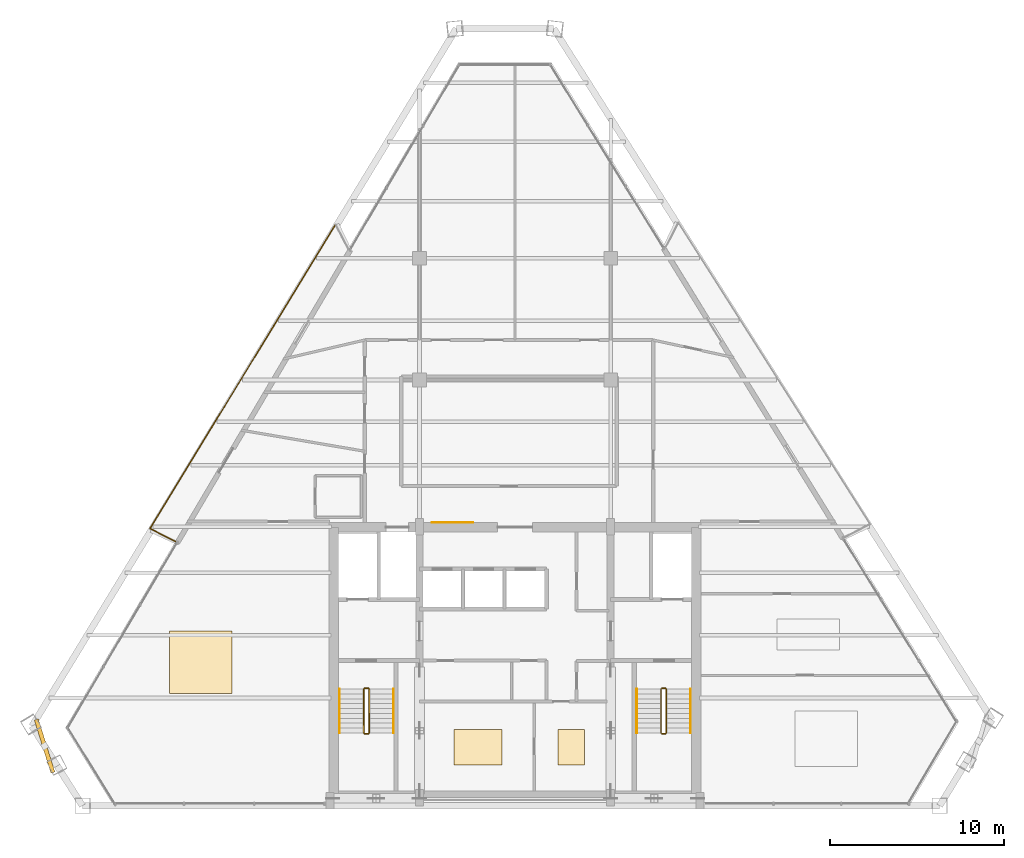
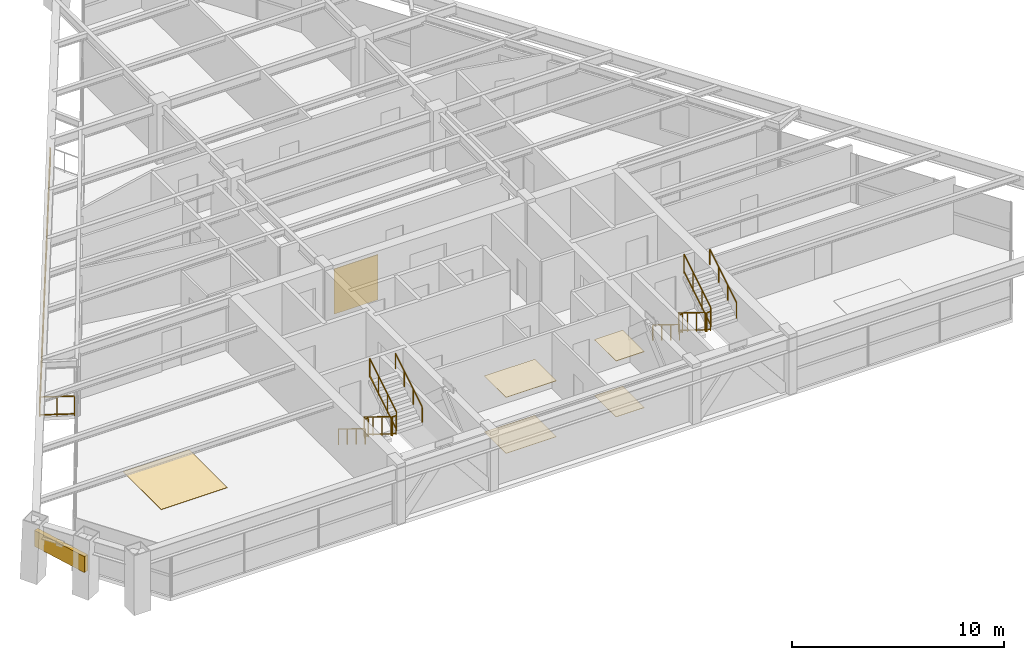
# One storey, part 12 of 13: 14 railings, 6 coverings, 1 shading device.
"""IFC4 building model written with IfcOpenShell, lengths in metres."""

from ifc_helpers import new_model, si_unit, direction, frame, origin, origin_2d, place, context, subcontext, project, spatial, rectangle, extrude, source, transform, mapped, material, layer, layer_set, type_object, type_shapes, element, save


model = new_model("IFC4")

# Units and contexts
model_context = context("Model", 3, precision=1e-05, world=origin(), true_north=direction((0.0, 1.0)))
body_context = subcontext(model_context, "Body", "Model", "MODEL_VIEW")
ifc_project = project(units=[si_unit("LENGTHUNIT", "METRE"), si_unit("AREAUNIT", "SQUARE_METRE"), si_unit("VOLUMEUNIT", "CUBIC_METRE"), si_unit("PLANEANGLEUNIT", "RADIAN"), si_unit("MASSUNIT", "GRAM", prefix="KILO")], contexts=[model_context])

# Site, building, storey
site_placement = place(None, origin())
site = spatial("IfcSite", under=ifc_project, at=site_placement, CompositionType="ELEMENT")
building_placement = place(site_placement, origin())
building = spatial("IfcBuilding", under=site, at=building_placement, Name="Varnakhor Terracotta Tower", CompositionType="ELEMENT")
storey_placement = place(building_placement, frame((0.0, 0.0, 237.25)))
storey = spatial("IfcBuildingStorey", under=building, at=storey_placement, Name="L61", CompositionType="ELEMENT", Elevation=237.25)

# Railings
ifc_material_1 = material(Name="Stainless Steel & Laminated Glass Guardrail", Category="steel")
railing_type_1 = type_object("IfcRailingType", Name="RLG-LOGGIA-GUARD-1150", PredefinedType="GUARDRAIL", material=ifc_material_1)
railing_1_placement = place(storey_placement, frame((-19.55078125, 15.208740234375, 0.0)))
element("IfcRailing", 1, at=railing_1_placement, inside=storey, type_object=railing_type_1, Name="L61 W Loggia Glass Guard 1", PredefinedType="GUARDRAIL", context=body_context, shape_type="SweptSolid", body=[
    extrude(rectangle(XDim=0.048095703125, YDim=0.048095703125, at=origin_2d()), frame((0.0, 0.0, 1.1259765625), z_axis=(-0.891115881412, 0.453775810169, 0.0), x_axis=(-0.453775810169, -0.891115881412, 0.0)), (0.0, 0.0, 1.0), 1.634033203125),
    extrude(rectangle(XDim=0.048095703125, YDim=0.048095703125, at=origin_2d()), frame((0.0, 0.0, 0.10009765625), z_axis=(-0.891115881412, 0.453775810169, 0.0), x_axis=(-0.453775810169, -0.891115881412, 0.0)), (0.0, 0.0, 1.0), 1.634033203125),
    extrude(rectangle(XDim=0.0419921875, YDim=0.0419921875, at=origin_2d()), origin(), (0.0, 0.0, 1.0), 1.101806640625),
    extrude(rectangle(XDim=0.0419921875, YDim=0.0419921875, at=origin_2d()), frame((-0.72802734375, 0.37060546875, 0.0)), (0.0, 0.0, 1.0), 1.101806640625),
    extrude(rectangle(XDim=0.0419921875, YDim=0.0419921875, at=origin_2d()), frame((-1.4560546875, 0.741455078125, 0.0)), (0.0, 0.0, 1.0), 1.101806640625),
])
railing_2_placement = place(storey_placement, frame((-21.0068359375, 15.9501953125, 0.0)))
element("IfcRailing", 2, at=railing_2_placement, inside=storey, type_object=railing_type_1, Name="L61 W Loggia Glass Guard 2", PredefinedType="GUARDRAIL", context=body_context, shape_type="SweptSolid", body=[
    extrude(rectangle(XDim=0.048095703125, YDim=0.048095703125, at=origin_2d()), frame((0.0, 0.0, 1.1259765625), z_axis=(0.520559993517, 0.853825095175, 0.0), x_axis=(-0.853825095175, 0.520559993517, 0.0)), (0.0, 0.0, 1.0), 20.500244140625),
    extrude(rectangle(XDim=0.048095703125, YDim=0.048095703125, at=origin_2d()), frame((0.0, 0.0, 0.10009765625), z_axis=(0.520559993517, 0.853825095175, 0.0), x_axis=(-0.853825095175, 0.520559993517, 0.0)), (0.0, 0.0, 1.0), 20.500244140625),
    extrude(rectangle(XDim=0.0419921875, YDim=0.0419921875, at=origin_2d()), origin(), (0.0, 0.0, 1.0), 1.101806640625),
    extrude(rectangle(XDim=0.0419921875, YDim=0.0419921875, at=origin_2d()), frame((0.71142578125, 1.1669921875, 0.0)), (0.0, 0.0, 1.0), 1.101806640625),
    extrude(rectangle(XDim=0.0419921875, YDim=0.0419921875, at=origin_2d()), frame((1.4228515625, 2.333740234375, 0.0)), (0.0, 0.0, 1.0), 1.101806640625),
    extrude(rectangle(XDim=0.0419921875, YDim=0.0419921875, at=origin_2d()), frame((2.13427734375, 3.500732421875, 0.0)), (0.0, 0.0, 1.0), 1.101806640625),
    extrude(rectangle(XDim=0.0419921875, YDim=0.0419921875, at=origin_2d()), frame((2.845703125, 4.667724609375, 0.0)), (0.0, 0.0, 1.0), 1.101806640625),
    extrude(rectangle(XDim=0.0419921875, YDim=0.0419921875, at=origin_2d()), frame((3.55712890625, 5.83447265625, 0.0)), (0.0, 0.0, 1.0), 1.101806640625),
    extrude(rectangle(XDim=0.0419921875, YDim=0.0419921875, at=origin_2d()), frame((4.2685546875, 7.00146484375, 0.0)), (0.0, 0.0, 1.0), 1.101806640625),
    extrude(rectangle(XDim=0.0419921875, YDim=0.0419921875, at=origin_2d()), frame((4.97998046875, 8.16845703125, 0.0)), (0.0, 0.0, 1.0), 1.101806640625),
    extrude(rectangle(XDim=0.0419921875, YDim=0.0419921875, at=origin_2d()), frame((5.691650390625, 9.335205078125, 0.0)), (0.0, 0.0, 1.0), 1.101806640625),
    extrude(rectangle(XDim=0.0419921875, YDim=0.0419921875, at=origin_2d()), frame((6.403076171875, 10.502197265625, 0.0)), (0.0, 0.0, 1.0), 1.101806640625),
    extrude(rectangle(XDim=0.0419921875, YDim=0.0419921875, at=origin_2d()), frame((7.114501953125, 11.669189453125, 0.0)), (0.0, 0.0, 1.0), 1.101806640625),
    extrude(rectangle(XDim=0.0419921875, YDim=0.0419921875, at=origin_2d()), frame((7.825927734375, 12.8359375, 0.0)), (0.0, 0.0, 1.0), 1.101806640625),
    extrude(rectangle(XDim=0.0419921875, YDim=0.0419921875, at=origin_2d()), frame((8.537353515625, 14.0029296875, 0.0)), (0.0, 0.0, 1.0), 1.101806640625),
    extrude(rectangle(XDim=0.0419921875, YDim=0.0419921875, at=origin_2d()), frame((9.248779296875, 15.169921875, 0.0)), (0.0, 0.0, 1.0), 1.101806640625),
    extrude(rectangle(XDim=0.0419921875, YDim=0.0419921875, at=origin_2d()), frame((9.960205078125, 16.336669921875, 0.0)), (0.0, 0.0, 1.0), 1.101806640625),
    extrude(rectangle(XDim=0.0419921875, YDim=0.0419921875, at=origin_2d()), frame((10.671630859375, 17.503662109375, 0.0)), (0.0, 0.0, 1.0), 1.101806640625),
])
ifc_material_2 = material(Name="Painted Steel Stairwell Guardrail", Category="steel")
railing_type_2 = type_object("IfcRailingType", Name="RLG-STAIR-GUARD-1120", PredefinedType="GUARDRAIL", material=ifc_material_2)
railing_3_placement = place(storey_placement, frame((-8.699951171875, 6.7099609375, 0.172607421875)))
element("IfcRailing", 3, at=railing_3_placement, inside=storey, type_object=railing_type_2, Name="L61 ST-1 stair guard 1", PredefinedType="GUARDRAIL", context=body_context, shape_type="SweptSolid", body=[
    extrude(rectangle(XDim=0.048095703125, YDim=0.048095703125, at=origin_2d()), frame((0.0, 0.0, 1.09619140625), z_axis=(0.0, -0.851400495292, 0.524516154772), x_axis=(1.0, 0.0, 0.0)), (0.0, 0.0, 1.0), 2.9599609375),
    extrude(rectangle(XDim=0.048095703125, YDim=0.048095703125, at=origin_2d()), frame((0.0, 0.0, 0.10009765625), z_axis=(0.0, -0.851400495292, 0.524516154772), x_axis=(1.0, 0.0, 0.0)), (0.0, 0.0, 1.0), 2.9599609375),
    extrude(rectangle(XDim=0.0419921875, YDim=0.0419921875, at=origin_2d()), origin(), (0.0, 0.0, 1.0), 1.072021484375),
    extrude(rectangle(XDim=0.0419921875, YDim=0.0419921875, at=origin_2d()), frame((0.0, -0.840087890625, 0.517578125)), (0.0, 0.0, 1.0), 1.072021484375),
    extrude(rectangle(XDim=0.0419921875, YDim=0.0419921875, at=origin_2d()), frame((0.0, -1.679931640625, 1.034912109375)), (0.0, 0.0, 1.0), 1.072021484375),
    extrude(rectangle(XDim=0.0419921875, YDim=0.0419921875, at=origin_2d()), frame((0.0, -2.52001953125, 1.552490234375)), (0.0, 0.0, 1.0), 1.072021484375),
])
railing_4_placement = place(storey_placement, frame((-8.64990234375, 4.139892578125, 1.72509765625)))
element("IfcRailing", 4, at=railing_4_placement, inside=storey, type_object=railing_type_2, Name="L61 ST-1 stair guard 2", PredefinedType="GUARDRAIL", context=body_context, shape_type="SweptSolid", body=[
    extrude(rectangle(XDim=0.048095703125, YDim=0.048095703125, at=origin_2d()), frame((0.0, 0.0, 1.09619140625), z_axis=(1.0, 0.0, 0.0), x_axis=(0.0, 1.0, 0.0)), (0.0, 0.0, 1.0), 0.199951171875),
    extrude(rectangle(XDim=0.048095703125, YDim=0.048095703125, at=origin_2d()), frame((0.0, 0.0, 0.10009765625), z_axis=(1.0, 0.0, 0.0), x_axis=(0.0, 1.0, 0.0)), (0.0, 0.0, 1.0), 0.199951171875),
    extrude(rectangle(XDim=0.0419921875, YDim=0.0419921875, at=origin_2d()), origin(), (0.0, 0.0, 1.0), 1.072021484375),
    extrude(rectangle(XDim=0.0419921875, YDim=0.0419921875, at=origin_2d()), frame((0.199951171875, 0.0, 0.0)), (0.0, 0.0, 1.0), 1.072021484375),
])
railing_5_placement = place(storey_placement, frame((-8.39990234375, 4.18994140625, 1.8974609375)))
element("IfcRailing", 5, at=railing_5_placement, inside=storey, type_object=railing_type_2, Name="L61 ST-1 stair guard 3", PredefinedType="GUARDRAIL", context=body_context, shape_type="SweptSolid", body=[
    extrude(rectangle(XDim=0.048095703125, YDim=0.048095703125, at=origin_2d()), frame((0.0, 0.0, 1.09619140625), z_axis=(0.0, 0.851400495292, 0.524516154772), x_axis=(-1.0, 0.0, 0.0)), (0.0, 0.0, 1.0), 2.9599609375),
    extrude(rectangle(XDim=0.048095703125, YDim=0.048095703125, at=origin_2d()), frame((0.0, 0.0, 0.10009765625), z_axis=(0.0, 0.851400495292, 0.524516154772), x_axis=(-1.0, 0.0, 0.0)), (0.0, 0.0, 1.0), 2.9599609375),
    extrude(rectangle(XDim=0.0419921875, YDim=0.0419921875, at=origin_2d()), origin(), (0.0, 0.0, 1.0), 1.072021484375),
    extrude(rectangle(XDim=0.0419921875, YDim=0.0419921875, at=origin_2d()), frame((0.0, 0.840087890625, 0.517578125)), (0.0, 0.0, 1.0), 1.072021484375),
    extrude(rectangle(XDim=0.0419921875, YDim=0.0419921875, at=origin_2d()), frame((0.0, 1.679931640625, 1.034912109375)), (0.0, 0.0, 1.0), 1.072021484375),
    extrude(rectangle(XDim=0.0419921875, YDim=0.0419921875, at=origin_2d()), frame((0.0, 2.52001953125, 1.552490234375)), (0.0, 0.0, 1.0), 1.072021484375),
])
railing_6_placement = place(storey_placement, frame((-8.64990234375, 6.760009765625, 0.0)))
element("IfcRailing", 6, at=railing_6_placement, inside=storey, type_object=railing_type_2, Name="L61 ST-1 stair guard 4", PredefinedType="GUARDRAIL", context=body_context, shape_type="SweptSolid", body=[
    extrude(rectangle(XDim=0.048095703125, YDim=0.048095703125, at=origin_2d()), frame((0.0, 0.0, 1.09619140625), z_axis=(1.0, 0.0, 0.0), x_axis=(0.0, 1.0, 0.0)), (0.0, 0.0, 1.0), 0.199951171875),
    extrude(rectangle(XDim=0.048095703125, YDim=0.048095703125, at=origin_2d()), frame((0.0, 0.0, 0.10009765625), z_axis=(1.0, 0.0, 0.0), x_axis=(0.0, 1.0, 0.0)), (0.0, 0.0, 1.0), 0.199951171875),
    extrude(rectangle(XDim=0.0419921875, YDim=0.0419921875, at=origin_2d()), origin(), (0.0, 0.0, 1.0), 1.072021484375),
    extrude(rectangle(XDim=0.0419921875, YDim=0.0419921875, at=origin_2d()), frame((0.199951171875, 0.0, 0.0)), (0.0, 0.0, 1.0), 1.072021484375),
])
railing_7_placement = place(storey_placement, frame((8.39990234375, 6.7099609375, 0.172607421875)))
element("IfcRailing", 7, at=railing_7_placement, inside=storey, type_object=railing_type_2, Name="L61 ST-2 stair guard 1", PredefinedType="GUARDRAIL", context=body_context, shape_type="SweptSolid", body=[
    extrude(rectangle(XDim=0.048095703125, YDim=0.048095703125, at=origin_2d()), frame((0.0, 0.0, 1.09619140625), z_axis=(0.0, -0.851400495292, 0.524516154772), x_axis=(1.0, 0.0, 0.0)), (0.0, 0.0, 1.0), 2.9599609375),
    extrude(rectangle(XDim=0.048095703125, YDim=0.048095703125, at=origin_2d()), frame((0.0, 0.0, 0.10009765625), z_axis=(0.0, -0.851400495292, 0.524516154772), x_axis=(1.0, 0.0, 0.0)), (0.0, 0.0, 1.0), 2.9599609375),
    extrude(rectangle(XDim=0.0419921875, YDim=0.0419921875, at=origin_2d()), origin(), (0.0, 0.0, 1.0), 1.072021484375),
    extrude(rectangle(XDim=0.0419921875, YDim=0.0419921875, at=origin_2d()), frame((0.0, -0.840087890625, 0.517578125)), (0.0, 0.0, 1.0), 1.072021484375),
    extrude(rectangle(XDim=0.0419921875, YDim=0.0419921875, at=origin_2d()), frame((0.0, -1.679931640625, 1.034912109375)), (0.0, 0.0, 1.0), 1.072021484375),
    extrude(rectangle(XDim=0.0419921875, YDim=0.0419921875, at=origin_2d()), frame((0.0, -2.52001953125, 1.552490234375)), (0.0, 0.0, 1.0), 1.072021484375),
])
railing_8_placement = place(storey_placement, frame((8.449951171875, 4.139892578125, 1.72509765625)))
element("IfcRailing", 8, at=railing_8_placement, inside=storey, type_object=railing_type_2, Name="L61 ST-2 stair guard 2", PredefinedType="GUARDRAIL", context=body_context, shape_type="SweptSolid", body=[
    extrude(rectangle(XDim=0.048095703125, YDim=0.048095703125, at=origin_2d()), frame((0.0, 0.0, 1.09619140625), z_axis=(1.0, 0.0, 0.0), x_axis=(0.0, 1.0, 0.0)), (0.0, 0.0, 1.0), 0.199951171875),
    extrude(rectangle(XDim=0.048095703125, YDim=0.048095703125, at=origin_2d()), frame((0.0, 0.0, 0.10009765625), z_axis=(1.0, 0.0, 0.0), x_axis=(0.0, 1.0, 0.0)), (0.0, 0.0, 1.0), 0.199951171875),
    extrude(rectangle(XDim=0.0419921875, YDim=0.0419921875, at=origin_2d()), origin(), (0.0, 0.0, 1.0), 1.072021484375),
    extrude(rectangle(XDim=0.0419921875, YDim=0.0419921875, at=origin_2d()), frame((0.199951171875, 0.0, 0.0)), (0.0, 0.0, 1.0), 1.072021484375),
])
railing_9_placement = place(storey_placement, frame((8.699951171875, 4.18994140625, 1.8974609375)))
element("IfcRailing", 9, at=railing_9_placement, inside=storey, type_object=railing_type_2, Name="L61 ST-2 stair guard 3", PredefinedType="GUARDRAIL", context=body_context, shape_type="SweptSolid", body=[
    extrude(rectangle(XDim=0.048095703125, YDim=0.048095703125, at=origin_2d()), frame((0.0, 0.0, 1.09619140625), z_axis=(0.0, 0.851400495292, 0.524516154772), x_axis=(-1.0, 0.0, 0.0)), (0.0, 0.0, 1.0), 2.9599609375),
    extrude(rectangle(XDim=0.048095703125, YDim=0.048095703125, at=origin_2d()), frame((0.0, 0.0, 0.10009765625), z_axis=(0.0, 0.851400495292, 0.524516154772), x_axis=(-1.0, 0.0, 0.0)), (0.0, 0.0, 1.0), 2.9599609375),
    extrude(rectangle(XDim=0.0419921875, YDim=0.0419921875, at=origin_2d()), origin(), (0.0, 0.0, 1.0), 1.072021484375),
    extrude(rectangle(XDim=0.0419921875, YDim=0.0419921875, at=origin_2d()), frame((0.0, 0.840087890625, 0.517578125)), (0.0, 0.0, 1.0), 1.072021484375),
    extrude(rectangle(XDim=0.0419921875, YDim=0.0419921875, at=origin_2d()), frame((0.0, 1.679931640625, 1.034912109375)), (0.0, 0.0, 1.0), 1.072021484375),
    extrude(rectangle(XDim=0.0419921875, YDim=0.0419921875, at=origin_2d()), frame((0.0, 2.52001953125, 1.552490234375)), (0.0, 0.0, 1.0), 1.072021484375),
])
railing_10_placement = place(storey_placement, frame((8.449951171875, 6.760009765625, 0.0)))
element("IfcRailing", 10, at=railing_10_placement, inside=storey, type_object=railing_type_2, Name="L61 ST-2 stair guard 4", PredefinedType="GUARDRAIL", context=body_context, shape_type="SweptSolid", body=[
    extrude(rectangle(XDim=0.048095703125, YDim=0.048095703125, at=origin_2d()), frame((0.0, 0.0, 1.09619140625), z_axis=(1.0, 0.0, 0.0), x_axis=(0.0, 1.0, 0.0)), (0.0, 0.0, 1.0), 0.199951171875),
    extrude(rectangle(XDim=0.048095703125, YDim=0.048095703125, at=origin_2d()), frame((0.0, 0.0, 0.10009765625), z_axis=(1.0, 0.0, 0.0), x_axis=(0.0, 1.0, 0.0)), (0.0, 0.0, 1.0), 0.199951171875),
    extrude(rectangle(XDim=0.0419921875, YDim=0.0419921875, at=origin_2d()), origin(), (0.0, 0.0, 1.0), 1.072021484375),
    extrude(rectangle(XDim=0.0419921875, YDim=0.0419921875, at=origin_2d()), frame((0.199951171875, 0.0, 0.0)), (0.0, 0.0, 1.0), 1.072021484375),
])
ifc_material_3 = material(Name="Brushed Stainless Steel Handrail", Category="steel")
railing_type_3 = type_object("IfcRailingType", Name="RLG-STAIR-HANDRAIL-920", PredefinedType="HANDRAIL", material=ifc_material_3)
railing_11_placement = place(storey_placement, frame((-10.10009765625, 6.7099609375, 0.172607421875)))
element("IfcRailing", 11, at=railing_11_placement, inside=storey, type_object=railing_type_3, Name="L61 ST-1 stair handrail 1", PredefinedType="HANDRAIL", context=body_context, shape_type="SweptSolid", body=[
    extrude(rectangle(XDim=0.048095703125, YDim=0.048095703125, at=origin_2d()), frame((0.0, 0.0, 0.89599609375), z_axis=(0.0, -0.851400495292, 0.524516154772), x_axis=(1.0, 0.0, 0.0)), (0.0, 0.0, 1.0), 2.9599609375),
    extrude(rectangle(XDim=0.0419921875, YDim=0.0419921875, at=origin_2d()), origin(), (0.0, 0.0, 1.0), 0.871826171875),
    extrude(rectangle(XDim=0.0419921875, YDim=0.0419921875, at=origin_2d()), frame((0.0, -0.840087890625, 0.517578125)), (0.0, 0.0, 1.0), 0.871826171875),
    extrude(rectangle(XDim=0.0419921875, YDim=0.0419921875, at=origin_2d()), frame((0.0, -1.679931640625, 1.034912109375)), (0.0, 0.0, 1.0), 0.871826171875),
    extrude(rectangle(XDim=0.0419921875, YDim=0.0419921875, at=origin_2d()), frame((0.0, -2.52001953125, 1.552490234375)), (0.0, 0.0, 1.0), 0.871826171875),
])
railing_12_placement = place(storey_placement, frame((-7.0, 4.18994140625, 1.8974609375)))
element("IfcRailing", 12, at=railing_12_placement, inside=storey, type_object=railing_type_3, Name="L61 ST-1 stair handrail 2", PredefinedType="HANDRAIL", context=body_context, shape_type="SweptSolid", body=[
    extrude(rectangle(XDim=0.048095703125, YDim=0.048095703125, at=origin_2d()), frame((0.0, 0.0, 0.89599609375), z_axis=(0.0, 0.851400495292, 0.524516154772), x_axis=(-1.0, 0.0, 0.0)), (0.0, 0.0, 1.0), 2.9599609375),
    extrude(rectangle(XDim=0.0419921875, YDim=0.0419921875, at=origin_2d()), origin(), (0.0, 0.0, 1.0), 0.871826171875),
    extrude(rectangle(XDim=0.0419921875, YDim=0.0419921875, at=origin_2d()), frame((0.0, 0.840087890625, 0.517578125)), (0.0, 0.0, 1.0), 0.871826171875),
    extrude(rectangle(XDim=0.0419921875, YDim=0.0419921875, at=origin_2d()), frame((0.0, 1.679931640625, 1.034912109375)), (0.0, 0.0, 1.0), 0.871826171875),
    extrude(rectangle(XDim=0.0419921875, YDim=0.0419921875, at=origin_2d()), frame((0.0, 2.52001953125, 1.552490234375)), (0.0, 0.0, 1.0), 0.871826171875),
])
railing_13_placement = place(storey_placement, frame((7.0, 6.7099609375, 0.172607421875)))
element("IfcRailing", 13, at=railing_13_placement, inside=storey, type_object=railing_type_3, Name="L61 ST-2 stair handrail 1", PredefinedType="HANDRAIL", context=body_context, shape_type="SweptSolid", body=[
    extrude(rectangle(XDim=0.048095703125, YDim=0.048095703125, at=origin_2d()), frame((0.0, 0.0, 0.89599609375), z_axis=(0.0, -0.851400495292, 0.524516154772), x_axis=(1.0, 0.0, 0.0)), (0.0, 0.0, 1.0), 2.9599609375),
    extrude(rectangle(XDim=0.0419921875, YDim=0.0419921875, at=origin_2d()), origin(), (0.0, 0.0, 1.0), 0.871826171875),
    extrude(rectangle(XDim=0.0419921875, YDim=0.0419921875, at=origin_2d()), frame((0.0, -0.840087890625, 0.517578125)), (0.0, 0.0, 1.0), 0.871826171875),
    extrude(rectangle(XDim=0.0419921875, YDim=0.0419921875, at=origin_2d()), frame((0.0, -1.679931640625, 1.034912109375)), (0.0, 0.0, 1.0), 0.871826171875),
    extrude(rectangle(XDim=0.0419921875, YDim=0.0419921875, at=origin_2d()), frame((0.0, -2.52001953125, 1.552490234375)), (0.0, 0.0, 1.0), 0.871826171875),
])
railing_14_placement = place(storey_placement, frame((10.10009765625, 4.18994140625, 1.8974609375)))
element("IfcRailing", 14, at=railing_14_placement, inside=storey, type_object=railing_type_3, Name="L61 ST-2 stair handrail 2", PredefinedType="HANDRAIL", context=body_context, shape_type="SweptSolid", body=[
    extrude(rectangle(XDim=0.048095703125, YDim=0.048095703125, at=origin_2d()), frame((0.0, 0.0, 0.89599609375), z_axis=(0.0, 0.851400495292, 0.524516154772), x_axis=(-1.0, 0.0, 0.0)), (0.0, 0.0, 1.0), 2.9599609375),
    extrude(rectangle(XDim=0.0419921875, YDim=0.0419921875, at=origin_2d()), origin(), (0.0, 0.0, 1.0), 0.871826171875),
    extrude(rectangle(XDim=0.0419921875, YDim=0.0419921875, at=origin_2d()), frame((0.0, 0.840087890625, 0.517578125)), (0.0, 0.0, 1.0), 0.871826171875),
    extrude(rectangle(XDim=0.0419921875, YDim=0.0419921875, at=origin_2d()), frame((0.0, 1.679931640625, 1.034912109375)), (0.0, 0.0, 1.0), 0.871826171875),
    extrude(rectangle(XDim=0.0419921875, YDim=0.0419921875, at=origin_2d()), frame((0.0, 2.52001953125, 1.552490234375)), (0.0, 0.0, 1.0), 0.871826171875),
])

# Shading device
ifc_material_4 = material(Name="Extruded Architectural Terracotta Screen", Category="masonry")
shading_device_type = type_object("IfcShadingDeviceType", Name="TERRACOTTA SOLAR SCREEN W", PredefinedType="USERDEFINED", material=ifc_material_4)
shared_shape_1 = source(origin(), body_context, "Body", "SweptSolid", [
    extrude(rectangle(XDim=3.199951171875, YDim=0.239990234375, at=origin_2d()), origin(), (0.0, 0.0, 1.0), 0.919921875),
])
type_shapes(shading_device_type, [shared_shape_1])
shading_device_placement = place(storey_placement, frame((-27.07421875, 3.433837890625, 1.56201171875), z_axis=(0.0, 0.0, 1.0), x_axis=(0.298757650292, -0.954329013701, 0.0)))
element("IfcShadingDevice", 15, at=shading_device_placement, inside=storey, type_object=shading_device_type, Name="L61 W Terracotta Solar Screen", ObjectType="SCREEN", PredefinedType="USERDEFINED", context=body_context, shape_type="MappedRepresentation", body=[
    mapped(shared_shape_1, transform((0.0, 0.0, 0.0), scale=1.0)),
])

# Coverings
ifc_material_5 = material(Name="Extruded Architectural Terracotta Cladding", Category="masonry")
ifc_layer_1 = layer(ifc_material_5, 0.044921875, Name="Extruded Architectural Terracotta Cladding")
ifc_layer_set_1 = layer_set([ifc_layer_1], Name="Extruded Architectural Terracotta Cladding")
covering_type_1 = type_object("IfcCoveringType", Name="COV-CLAD-TERRACOTTA", PredefinedType="CLADDING", material=ifc_layer_set_1)
shared_shape_2 = source(origin(), body_context, "Body", "SweptSolid", [
    extrude(rectangle(XDim=2.39990234375, YDim=0.030029296875, at=origin_2d()), origin(), (0.0, 0.0, 1.0), 2.60009765625),
])
type_shapes(covering_type_1, [shared_shape_2])
covering_1_placement = place(storey_placement, frame((-3.60009765625, 16.31201171875, 0.0), z_axis=(0.0, 0.0, 1.0), x_axis=(1.0, 0.0, 0.0)))
element("IfcCovering", 16, at=covering_1_placement, inside=storey, type_object=covering_type_1, Name="L61 Core Lobby Limestone Cladding", PredefinedType="CLADDING", context=body_context, shape_type="MappedRepresentation", body=[
    mapped(shared_shape_2, transform((0.0, 0.0, 0.0), scale=1.0)),
])
ifc_material_6 = material(Name="Honed Riyadh Limestone Flooring", Category="masonry")
ifc_layer_2 = layer(ifc_material_6, 0.030029296875, Name="Honed Riyadh Limestone Flooring")
ifc_layer_set_2 = layer_set([ifc_layer_2], Name="Honed Riyadh Limestone Flooring")
covering_type_2 = type_object("IfcCoveringType", Name="COV-FLOOR-LIMESTONE", PredefinedType="FLOORING", material=ifc_layer_set_2)
shared_shape_3 = source(origin(), body_context, "Body", "SweptSolid", [
    extrude(rectangle(XDim=3.60009765625, YDim=3.60009765625, at=origin_2d()), origin(), (0.0, 0.0, 1.0), 0.02001953125),
])
covering_2_placement = place(storey_placement, frame((-18.0830078125, 8.26611328125, 0.0), z_axis=(0.0, 0.0, 1.0), x_axis=(1.0, 0.0, 0.0)))
element("IfcCovering", 17, at=covering_2_placement, inside=storey, type_object=covering_type_2, Name="L61 Honed Stone Flooring 4", PredefinedType="FLOORING", context=body_context, shape_type="MappedRepresentation", body=[
    mapped(shared_shape_3, transform((0.0, 0.0, 0.0), scale=1.0)),
])
shared_shape_4 = source(origin(), body_context, "Body", "SweptSolid", [
    extrude(rectangle(XDim=2.75, YDim=2.041015625, at=origin_2d()), origin(), (0.0, 0.0, 1.0), 0.02001953125),
])
covering_3_placement = place(storey_placement, frame((-2.139892578125, 3.35498046875, 0.0), z_axis=(0.0, 0.0, 1.0), x_axis=(1.0, 0.0, 0.0)))
element("IfcCovering", 18, at=covering_3_placement, inside=storey, type_object=covering_type_2, Name="L61 Honed Stone Flooring 1", PredefinedType="FLOORING", context=body_context, shape_type="MappedRepresentation", body=[
    mapped(shared_shape_4, transform((0.0, 0.0, 0.0), scale=1.0)),
])
ifc_material_7 = material(Name="Perforated Acoustic Mineral-Fibre Ceiling", Category="gypsum")
ifc_layer_3 = layer(ifc_material_7, 0.02490234375, Name="Perforated Acoustic Mineral-Fibre Ceiling")
ifc_layer_set_3 = layer_set([ifc_layer_3], Name="Perforated Acoustic Mineral-Fibre Ceiling")
covering_type_3 = type_object("IfcCoveringType", Name="COV-CEILING-ACOUSTIC", PredefinedType="CEILING", material=ifc_layer_set_3)
shared_shape_5 = source(origin(), body_context, "Body", "SweptSolid", [
    extrude(rectangle(XDim=2.75, YDim=2.041015625, at=origin_2d()), origin(), (0.0, 0.0, 1.0), 0.02392578125),
])
covering_4_placement = place(storey_placement, frame((-2.139892578125, 3.35498046875, 3.216064453125), z_axis=(0.0, 0.0, 1.0), x_axis=(1.0, 0.0, 0.0)))
element("IfcCovering", 19, at=covering_4_placement, inside=storey, type_object=covering_type_3, Name="L61 Acoustic Ceiling Panel 1", PredefinedType="CEILING", context=body_context, shape_type="MappedRepresentation", body=[
    mapped(shared_shape_5, transform((0.0, 0.0, 0.0), scale=1.0)),
])
shared_shape_6 = source(origin(), body_context, "Body", "SweptSolid", [
    extrude(rectangle(XDim=1.5400390625, YDim=2.041015625, at=origin_2d()), origin(), (0.0, 0.0, 1.0), 0.02001953125),
])
covering_5_placement = place(storey_placement, frame((3.239990234375, 3.35498046875, 0.0), z_axis=(0.0, 0.0, 1.0), x_axis=(1.0, 0.0, 0.0)))
element("IfcCovering", 20, at=covering_5_placement, inside=storey, type_object=covering_type_2, Name="L61 Honed Stone Flooring 2", PredefinedType="FLOORING", context=body_context, shape_type="MappedRepresentation", body=[
    mapped(shared_shape_6, transform((0.0, 0.0, 0.0), scale=1.0)),
])
shared_shape_7 = source(origin(), body_context, "Body", "SweptSolid", [
    extrude(rectangle(XDim=1.5400390625, YDim=2.041015625, at=origin_2d()), origin(), (0.0, 0.0, 1.0), 0.02392578125),
])
covering_6_placement = place(storey_placement, frame((3.239990234375, 3.35498046875, 3.216064453125), z_axis=(0.0, 0.0, 1.0), x_axis=(1.0, 0.0, 0.0)))
element("IfcCovering", 21, at=covering_6_placement, inside=storey, type_object=covering_type_3, Name="L61 Acoustic Ceiling Panel 2", PredefinedType="CEILING", context=body_context, shape_type="MappedRepresentation", body=[
    mapped(shared_shape_7, transform((0.0, 0.0, 0.0), scale=1.0)),
])

save(model, "model.ifc")
